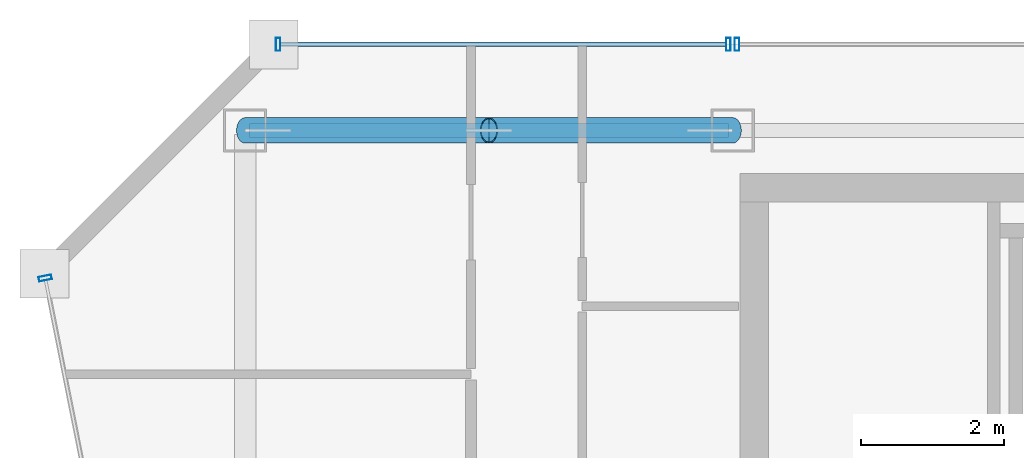
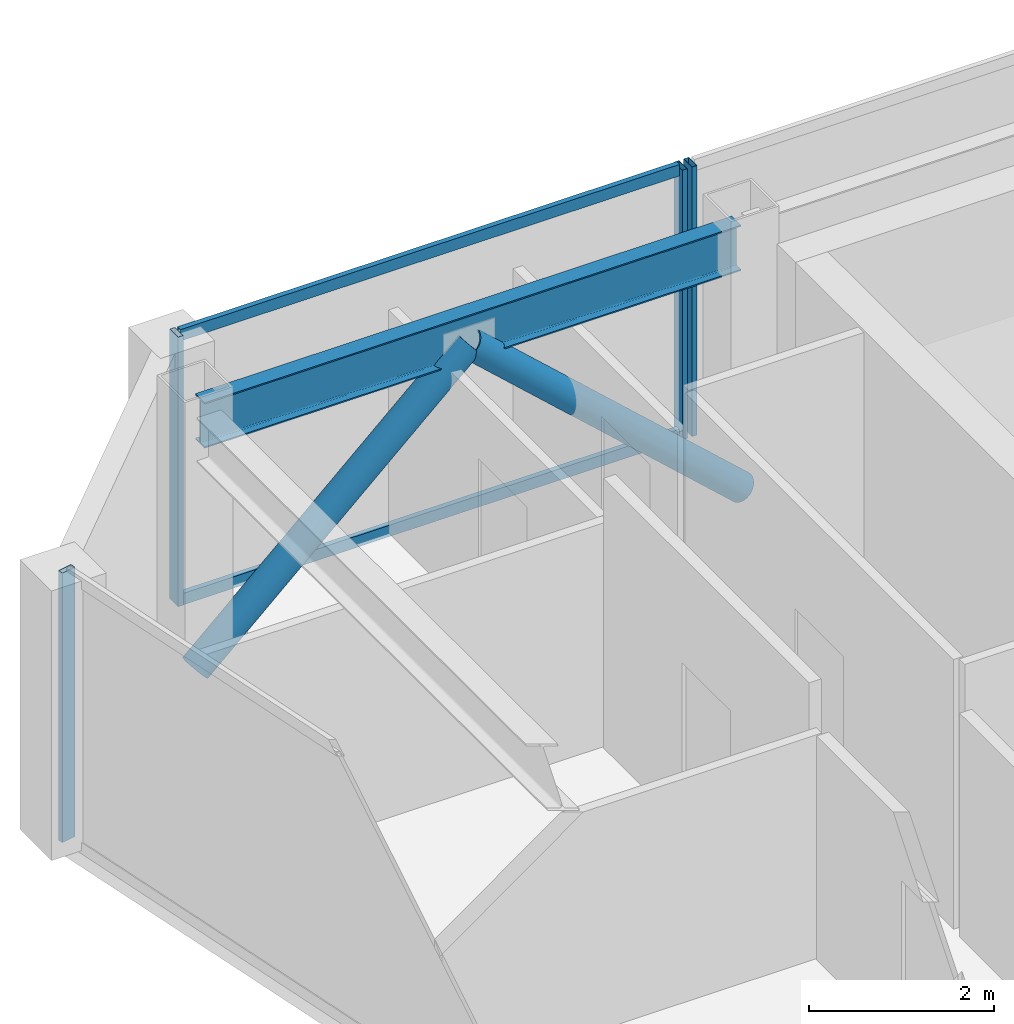
# One storey, part 9 of 24: 8 members, 1 beam, 3 elements without a shape of their own.
"""IFC4 building model written with IfcOpenShell, lengths in metres."""

from ifc_helpers import new_model, si_unit, direction, frame, origin, origin_2d, place, context, subcontext, project, spatial, hollow_rectangle, hollow_circle, i_section, extrude, material, material_profile, profile_set, type_object, element, aggregate, save


model = new_model("IFC4")

# Units and contexts
model_context = context("Model", 3, precision=1e-05, world=origin(), true_north=direction((0.0, 1.0)))
body_context = subcontext(model_context, "Body", "Model", "MODEL_VIEW")
ifc_project = project(units=[si_unit("LENGTHUNIT", "METRE"), si_unit("AREAUNIT", "SQUARE_METRE"), si_unit("VOLUMEUNIT", "CUBIC_METRE"), si_unit("PLANEANGLEUNIT", "RADIAN"), si_unit("MASSUNIT", "GRAM", prefix="KILO")], contexts=[model_context])

# Site, building, storey
site_placement = place(None, origin())
site = spatial("IfcSite", under=ifc_project, at=site_placement, CompositionType="ELEMENT")
building_placement = place(site_placement, origin())
building = spatial("IfcBuilding", under=site, at=building_placement, Name="Saevonmaru Cultural Tower", CompositionType="ELEMENT")
storey_placement = place(building_placement, frame((0.0, 0.0, 299.0)))
storey = spatial("IfcBuildingStorey", under=building, at=storey_placement, Name="L71", CompositionType="ELEMENT", Elevation=299.0)

# Beam
ifc_material_1 = material(Name="Steel SM355", Category="steel")
ifc_material_profile_1 = material_profile(ifc_material_1, i_section(OverallWidth=0.199951171875, OverallDepth=0.60009765625, WebThickness=0.010986328125, FlangeThickness=0.01708984375, FilletRadius=0.02197265625, at=origin_2d()), Name="H-600x200x11x17")
ifc_profile_set_1 = profile_set([ifc_material_profile_1], Name="Steel SM355")
beam_type = type_object("IfcBeamType", Name="BM-SP-H600", PredefinedType="SPANDREL", material=ifc_profile_set_1)
beam_placement = place(storey_placement, frame((6.860107421875, 54.800048828125, 3.25), z_axis=(1.0, 0.0, 0.0), x_axis=(0.0, 1.0, 0.0)))
element("IfcBeam", 1, at=beam_placement, inside=storey, type_object=beam_type, Name="L71 North Spine Girder 1", PredefinedType="SPANDREL", context=body_context, shape_type="SweptSolid", body=[
    extrude(i_section(OverallWidth=0.199951171875, OverallDepth=0.60009765625, WebThickness=0.010986328125, FlangeThickness=0.01708984375, FilletRadius=0.02197265625, at=origin_2d()), origin(), (0.0, 0.0, 1.0), 6.679931640625),
])

# Members
ifc_material_profile_2 = material_profile(ifc_material_1, hollow_circle(Radius=0.177734375, WallThickness=0.01611328125, at=origin_2d()), Name="CHS-355.6x16")
ifc_profile_set_2 = profile_set([ifc_material_profile_2], Name="Steel SM355")
member_type_1 = type_object("IfcMemberType", Name="MB-PBR-CHS356", PredefinedType="BRACE", material=ifc_profile_set_2)
member_1_placement = place(storey_placement, frame((6.800048828125, 54.800048828125, 0.02001953125), z_axis=(0.738935641579, 0.0, 0.673776014417), x_axis=(0.0, 1.0, 0.0)))
element("IfcMember", 2, at=member_1_placement, inside=storey, type_object=member_type_1, Name="L71 Perimeter Braced-Tube Diagonal WN1", PredefinedType="BRACE", context=body_context, shape_type="SweptSolid", body=[
    extrude(hollow_circle(Radius=0.177734375, WallThickness=0.01611328125, at=origin_2d()), origin(), (0.0, 0.0, 1.0), 4.60107421875),
])
member_2_placement = place(storey_placement, frame((13.60009765625, 54.800048828125, 0.02001953125), z_axis=(-0.738959728749, 0.0, 0.673749596873), x_axis=(0.0, -1.0, 0.0)))
element("IfcMember", 3, at=member_2_placement, inside=storey, type_object=member_type_1, Name="L71 Perimeter Braced-Tube Diagonal WN2", PredefinedType="BRACE", context=body_context, shape_type="SweptSolid", body=[
    extrude(hollow_circle(Radius=0.177734375, WallThickness=0.01611328125, at=origin_2d()), origin(), (0.0, 0.0, 1.0), 4.601318359375),
])

# Curtain wall, member
ifc_material_2 = material(Name="Satin Bronze Anodised Aluminium", Category="aluminium")
curtain_wall_type = type_object("IfcCurtainWallType", Name="CW-TYP-B", PredefinedType="NOTDEFINED", material=ifc_material_2)
curtain_wall_1_placement = place(storey_placement, origin())
curtain_wall_1 = element("IfcCurtainWall", 4, at=curtain_wall_1_placement, inside=storey, type_object=curtain_wall_type, Name="L71 North Spine Unitised Curtain Wall E10B", PredefinedType="NOTDEFINED")
ifc_material_profile_3 = material_profile(ifc_material_2, hollow_rectangle(XDim=0.06494140625, YDim=0.179931640625, WallThickness=0.00390625, at=origin_2d()), Name="ALU-MULL-180x65x4")
ifc_profile_set_3 = profile_set([ifc_material_profile_3], Name="Satin Bronze Anodised Aluminium")
member_type_2 = type_object("IfcMemberType", Name="ML-CW-180x65", PredefinedType="MULLION", material=ifc_profile_set_3)
member_3_placement = place(storey_placement, frame((13.659912109375, 56.0, 0.0), z_axis=(0.0, 0.0, 1.0), x_axis=(-1.0, 0.0, 0.0)))
member_3 = element("IfcMember", 5, at=member_3_placement, type_object=member_type_2, Name="CW-TW-L71-E10B mullion 4", PredefinedType="MULLION", context=body_context, shape_type="SweptSolid", body=[
    extrude(hollow_rectangle(XDim=0.06494140625, YDim=0.179931640625, WallThickness=0.00390625, at=origin_2d()), origin(), (0.0, 0.0, 1.0), 3.550048828125),
])
aggregate(curtain_wall_1, [member_3])

# Curtain wall, members
curtain_wall_2_placement = place(storey_placement, origin())
curtain_wall_2 = element("IfcCurtainWall", 6, at=curtain_wall_2_placement, inside=storey, type_object=curtain_wall_type, Name="L71 West Braced Bay Spandrel Curtain Wall E10C", PredefinedType="NOTDEFINED")
member_4_placement = place(storey_placement, frame((13.5400390625, 56.0, 0.0), z_axis=(0.0, 0.0, 1.0), x_axis=(-1.0, 0.0, 0.0)))
member_4 = element("IfcMember", 7, at=member_4_placement, type_object=member_type_2, Name="CW-TW-L71-E10C mullion 1", PredefinedType="MULLION", context=body_context, shape_type="SweptSolid", body=[
    extrude(hollow_rectangle(XDim=0.06494140625, YDim=0.179931640625, WallThickness=0.00390625, at=origin_2d()), origin(), (0.0, 0.0, 1.0), 3.550048828125),
])
member_5_placement = place(storey_placement, frame((7.260009765625, 56.0, 0.0), z_axis=(0.0, 0.0, 1.0), x_axis=(-1.0, 0.0, 0.0)))
member_5 = element("IfcMember", 8, at=member_5_placement, type_object=member_type_2, Name="CW-TW-L71-E10C mullion 2", PredefinedType="MULLION", context=body_context, shape_type="SweptSolid", body=[
    extrude(hollow_rectangle(XDim=0.06494140625, YDim=0.179931640625, WallThickness=0.00390625, at=origin_2d()), origin(), (0.0, 0.0, 1.0), 3.550048828125),
])

# Curtain wall, member
curtain_wall_3_placement = place(storey_placement, origin())
curtain_wall_3 = element("IfcCurtainWall", 9, at=curtain_wall_3_placement, inside=storey, type_object=curtain_wall_type, Name="L71 Unitised Curtain Wall E12", PredefinedType="NOTDEFINED")
member_6_placement = place(storey_placement, frame((4.01171875, 52.7412109375, 0.0), z_axis=(0.0, 0.0, 1.0), x_axis=(0.195005484813, -0.980802151758, 0.0)))
member_6 = element("IfcMember", 10, at=member_6_placement, type_object=member_type_2, Name="CW-TW-L71-E12 mullion 1", PredefinedType="MULLION", context=body_context, shape_type="SweptSolid", body=[
    extrude(hollow_rectangle(XDim=0.06494140625, YDim=0.179931640625, WallThickness=0.00390625, at=origin_2d()), origin(), (0.0, 0.0, 1.0), 3.550048828125),
])
aggregate(curtain_wall_3, [member_6])

# Member
ifc_material_profile_4 = material_profile(ifc_material_2, hollow_rectangle(XDim=0.06494140625, YDim=0.14990234375, WallThickness=0.00390625, at=origin_2d()), Name="ALU-TRAN-150x65x4")
ifc_profile_set_4 = profile_set([ifc_material_profile_4], Name="Satin Bronze Anodised Aluminium")
member_type_3 = type_object("IfcMemberType", Name="TR-CW-150x65", PredefinedType="USERDEFINED", material=ifc_profile_set_4)
member_7_placement = place(storey_placement, frame((13.507568359375, 56.0, 0.032470703125), z_axis=(-1.0, 0.0, 0.0), x_axis=(0.0, -1.0, 0.0)))
member_7 = element("IfcMember", 11, at=member_7_placement, type_object=member_type_3, Name="CW-TW-L71-E10C transom 1.1", ObjectType="TRANSOM", PredefinedType="USERDEFINED", context=body_context, shape_type="SweptSolid", body=[
    extrude(hollow_rectangle(XDim=0.06494140625, YDim=0.14990234375, WallThickness=0.00390625, at=origin_2d()), origin(), (0.0, 0.0, 1.0), 6.215087890625),
])

member_8_placement = place(storey_placement, frame((13.507568359375, 56.0, 3.517578125), z_axis=(-1.0, 0.0, 0.0), x_axis=(0.0, -1.0, 0.0)))
member_8 = element("IfcMember", 12, at=member_8_placement, type_object=member_type_3, Name="CW-TW-L71-E10C transom 1.2", ObjectType="TRANSOM", PredefinedType="USERDEFINED", context=body_context, shape_type="SweptSolid", body=[
    extrude(hollow_rectangle(XDim=0.06494140625, YDim=0.14990234375, WallThickness=0.00390625, at=origin_2d()), origin(), (0.0, 0.0, 1.0), 6.215087890625),
])

aggregate(curtain_wall_2, [member_4, member_5, member_7, member_8])

save(model, "model.ifc")
